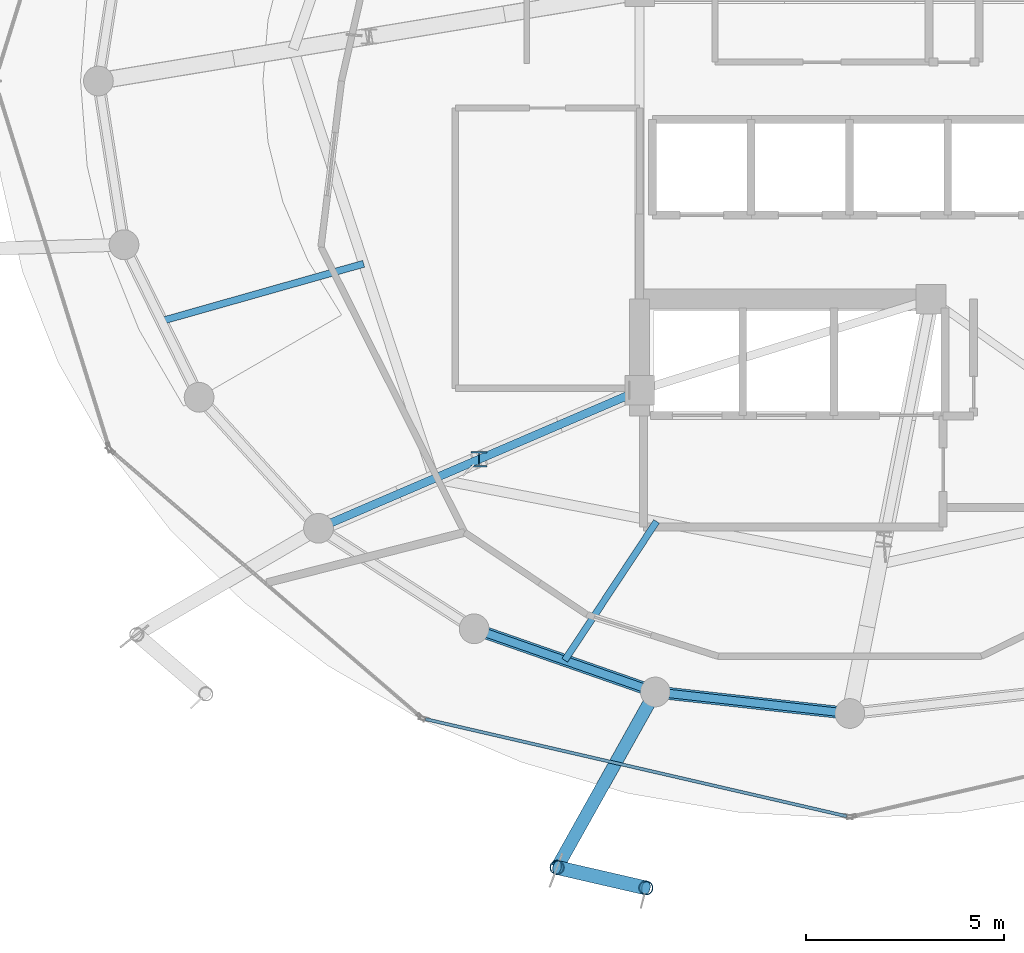
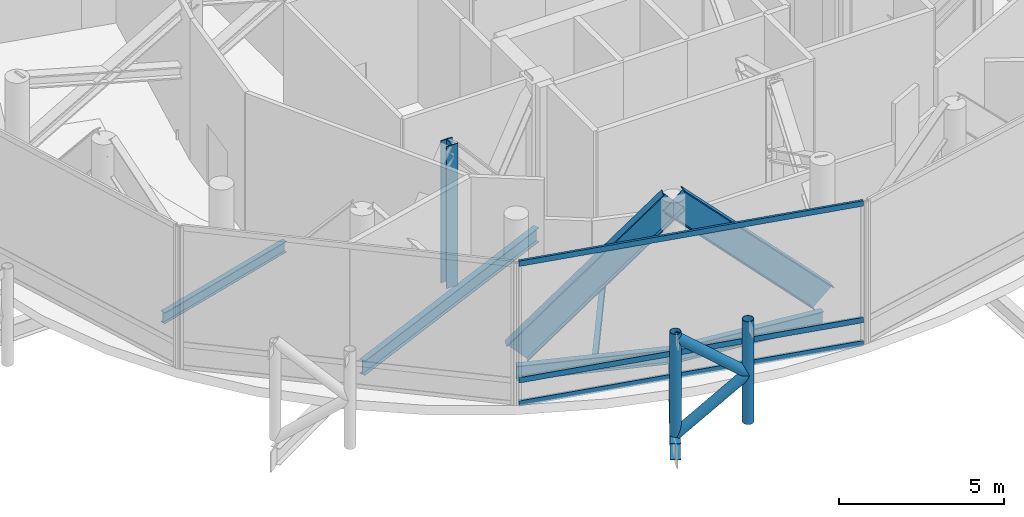
# One storey, part 3 of 26: 10 members, 6 beams, 1 element without a shape of its own.
"""IFC4 building model written with IfcOpenShell, lengths in metres."""

import ifcopenshell
import ifcopenshell.guid

model = None  # the IFC model being written
_history = None  # IfcOwnerHistory: only IFC2X3 demands one
_inside = {}  # id of a spatial element -> (the spatial element, [elements in it])
_under = {}  # id of a project, library or spatial element -> (it, [spatial elements below it])
_declared = {}  # id of a project -> (the project, [libraries it declares])
_typed = {}  # id of a type object -> (the type object, [elements of that type])
_made_of = {}  # id of a material, layer set ... -> (it, [elements and type objects made of it])


def new_model(schema):
    """Start an empty IFC model of exactly this schema.

    Asked for "IFC4X3", IfcOpenShell would pick the latest addendum, in which some entities
    have other attributes; the version numbers below select the first issue.
    IFC2X3 requires an IfcOwnerHistory on every rooted entity: one is made here for all.
    """
    global model, _history
    if schema == "IFC4X3":
        model = ifcopenshell.file(schema_version=(4, 3, 0, 0))
    else:
        model = ifcopenshell.file(schema=schema)
    _inside.clear()
    _under.clear()
    _declared.clear()
    _typed.clear()
    _made_of.clear()
    _history = None
    if model.schema == "IFC2X3":
        org = make("IfcOrganization", Name="unknown")
        user = make(
            "IfcPersonAndOrganization",
            ThePerson=make("IfcPerson", FamilyName="unknown"),
            TheOrganization=org,
        )
        app = make(
            "IfcApplication",
            ApplicationDeveloper=org,
            Version="unknown",
            ApplicationFullName="unknown",
            ApplicationIdentifier="unknown",
        )
        _history = make(
            "IfcOwnerHistory",
            OwningUser=user,
            OwningApplication=app,
            ChangeAction="ADDED",
            CreationDate=0,
        )
    return model


def make(cls, **values):
    """One entity of the class cls with the attributes given. An attribute that is None is left unset."""
    return model.create_entity(
        cls, **{name: value for name, value in values.items() if value is not None}
    )


def rooted(cls, **values):
    """An entity with a GlobalId (a new one), such as an element, a storey or a relation."""
    return make(cls, GlobalId=ifcopenshell.guid.new(), OwnerHistory=_history, **values)


def si_unit(unit_type, name, prefix=None):
    """IfcSIUnit, for example si_unit("LENGTHUNIT", "METRE", prefix="MILLI")."""
    return make("IfcSIUnit", UnitType=unit_type, Prefix=prefix, Name=name)


def assignment(units):
    """IfcUnitAssignment: the units of a project."""
    return None if units is None else make("IfcUnitAssignment", Units=units)


def point(xyz):
    """IfcCartesianPoint."""
    return None if xyz is None else make("IfcCartesianPoint", Coordinates=xyz)


def direction(xyz):
    """IfcDirection."""
    return None if xyz is None else make("IfcDirection", DirectionRatios=xyz)


def frame(location, z_axis=None, x_axis=None):
    """IfcAxis2Placement3D, a coordinate frame: its origin and axes. An axis left out is left unset."""
    return make(
        "IfcAxis2Placement3D",
        Location=point(location),
        Axis=direction(z_axis),
        RefDirection=direction(x_axis),
    )


def frame_2d(location, x_axis=None):
    """IfcAxis2Placement2D, a coordinate frame in the plane: its origin and x axis."""
    return make(
        "IfcAxis2Placement2D", Location=point(location), RefDirection=direction(x_axis)
    )


def origin():
    """The frame at (0, 0, 0) with its axes left unset."""
    return frame((0.0, 0.0, 0.0))


def origin_2d():
    """The frame at (0, 0) in the plane with its x axis left unset."""
    return frame_2d((0.0, 0.0))


def place(relative_to, where):
    """IfcLocalPlacement: puts the frame where relative to a parent placement (None: the world)."""
    return make(
        "IfcLocalPlacement", PlacementRelTo=relative_to, RelativePlacement=where
    )


def context(
    kind, dimensions, precision=None, world=None, true_north=None, identifier=None
):
    """IfcGeometricRepresentationContext, for example the 3D "Model" context."""
    return make(
        "IfcGeometricRepresentationContext",
        ContextIdentifier=identifier,
        ContextType=kind,
        CoordinateSpaceDimension=dimensions,
        Precision=precision,
        WorldCoordinateSystem=world,
        TrueNorth=true_north,
    )


def subcontext(parent, identifier, kind, view, scale=None):
    """IfcGeometricRepresentationSubContext, for example "Body" below "Model"."""
    return make(
        "IfcGeometricRepresentationSubContext",
        ContextIdentifier=identifier,
        ContextType=kind,
        ParentContext=parent,
        TargetScale=scale,
        TargetView=view,
    )


def project(units=None, contexts=None):
    """IfcProject with its units and contexts."""
    return rooted(
        "IfcProject",
        Name="project",
        RepresentationContexts=contexts,
        UnitsInContext=assignment(units),
    )


def spatial(cls, under=None, at=None, **own):
    """A site, building, storey or space (cls), placed at a placement, below another one or the project."""
    s = rooted(cls, ObjectPlacement=at, **own)
    if under is not None:
        _under.setdefault(under.id(), (under, []))[1].append(s)
    return s


def profile(cls, at=None, kind="AREA", **sizes):
    """A parametric profile (cls). Its sizes go by their IFC names, for example OverallWidth=200.0."""
    return make(cls, ProfileType=kind, Position=at, **sizes)


def hollow_rectangle(**sizes):
    """IfcRectangleHollowProfileDef."""
    return profile("IfcRectangleHollowProfileDef", **sizes)


def hollow_circle(**sizes):
    """IfcCircleHollowProfileDef."""
    return profile("IfcCircleHollowProfileDef", **sizes)


def i_section(**sizes):
    """IfcIShapeProfileDef."""
    return profile("IfcIShapeProfileDef", **sizes)


def extrude(swept, where, along, depth):
    """IfcExtrudedAreaSolid: the profile swept, set in the frame where, extruded along a direction by depth."""
    return make(
        "IfcExtrudedAreaSolid",
        SweptArea=swept,
        Position=where,
        ExtrudedDirection=direction(along),
        Depth=depth,
    )


def shape(context_of_items, identifier, shape_type, items):
    """IfcShapeRepresentation: the items that make up one representation, for example the "Body"."""
    return make(
        "IfcShapeRepresentation",
        ContextOfItems=context_of_items,
        RepresentationIdentifier=identifier,
        RepresentationType=shape_type,
        Items=items,
    )


def material(Name=None, Category=None):
    """IfcMaterial."""
    return make("IfcMaterial", Name=Name, Category=Category)


def layer(
    of_material, thickness, ventilated=None, Name=None, Category=None, Priority=None
):
    """IfcMaterialLayer: one layer of a wall or slab, of a material (None: an air gap)."""
    return make(
        "IfcMaterialLayer",
        Material=of_material,
        LayerThickness=thickness,
        IsVentilated=ventilated,
        Name=Name,
        Category=Category,
        Priority=Priority,
    )


def layer_set(layers, Name=None):
    """IfcMaterialLayerSet."""
    return make("IfcMaterialLayerSet", MaterialLayers=layers, LayerSetName=Name)


def material_profile(
    of_material, cross_section, Name=None, Category=None, Priority=None
):
    """IfcMaterialProfile: a cross section and its material."""
    return make(
        "IfcMaterialProfile",
        Name=Name,
        Material=of_material,
        Profile=cross_section,
        Priority=Priority,
        Category=Category,
    )


def profile_set(profiles, Name=None, composite=None):
    """IfcMaterialProfileSet."""
    return make(
        "IfcMaterialProfileSet",
        Name=Name,
        MaterialProfiles=profiles,
        CompositeProfile=composite,
    )


def made_of(thing, what):
    """Note that an element or type object is made of a material, layer set ...; save() writes the relation."""
    if what is not None:
        _made_of.setdefault(what.id(), (what, []))[1].append(thing)
    return thing


def type_object(cls, material=None, **own):
    """A type object (cls), such as IfcWallType, which elements share."""
    return made_of(rooted(cls, **own), material)


def element(
    cls,
    number,
    at=None,
    inside=None,
    cuts=None,
    type_object=None,
    material=None,
    context=None,
    identifier="Body",
    shape_type=None,
    held_by="IfcProductDefinitionShape",
    body=None,
    shapes=None,
    **own,
):
    """One element of the class cls, such as IfcWall. Its Tag is "e" and its number.

    at: its placement. inside: the storey or other place that contains it. cuts: it is an
    opening in that element (IfcRelVoidsElement). A single representation is given by context,
    identifier, shape_type and body (its items); several are given by shapes. held_by: the class
    of the entity that holds the representations. save() writes the other relations.
    """
    e = rooted(cls, Tag="e%d" % number, ObjectPlacement=at, **own)
    if body is not None:
        shapes = [shape(context, identifier, shape_type, body)]
    if shapes is not None:
        e.Representation = make(held_by, Representations=shapes)
    if inside is not None:
        _inside.setdefault(inside.id(), (inside, []))[1].append(e)
    if cuts is not None:
        rooted(
            "IfcRelVoidsElement", RelatingBuildingElement=cuts, RelatedOpeningElement=e
        )
    if type_object is not None:
        _typed.setdefault(type_object.id(), (type_object, []))[1].append(e)
    return made_of(e, material)


def aggregate(whole, parts):
    """IfcRelAggregates: a whole, such as a stair, and the parts it consists of."""
    return rooted("IfcRelAggregates", RelatingObject=whole, RelatedObjects=parts)


def save(model, path):
    """Write the relations noted so far, then the file.

    IfcRelAggregates (storeys below a building ...), IfcRelContainedInSpatialStructure (elements
    in a storey), IfcRelDefinesByType, IfcRelAssociatesMaterial and IfcRelDeclares: one each for
    every whole, place, type object, material and project.
    """
    for whole, parts in _under.values():
        aggregate(whole, parts)
    for where, things in _inside.values():
        rooted(
            "IfcRelContainedInSpatialStructure",
            RelatedElements=things,
            RelatingStructure=where,
        )
    for kind, things in _typed.values():
        rooted("IfcRelDefinesByType", RelatedObjects=things, RelatingType=kind)
    for what, things in _made_of.values():
        rooted("IfcRelAssociatesMaterial", RelatedObjects=things, RelatingMaterial=what)
    for by, libraries in _declared.values():
        rooted("IfcRelDeclares", RelatingContext=by, RelatedDefinitions=libraries)
    model.write(path)


model = new_model("IFC4")

# Units and contexts
model_context = context("Model", 3, precision=1e-05, world=origin(), true_north=direction((0.0, 1.0)))
body_context = subcontext(model_context, "Body", "Model", "MODEL_VIEW")
ifc_project = project(units=[si_unit("LENGTHUNIT", "METRE"), si_unit("AREAUNIT", "SQUARE_METRE"), si_unit("VOLUMEUNIT", "CUBIC_METRE"), si_unit("PLANEANGLEUNIT", "RADIAN"), si_unit("MASSUNIT", "GRAM", prefix="KILO")], contexts=[model_context])

# Site, building, storey
site_placement = place(None, origin())
site = spatial("IfcSite", under=ifc_project, at=site_placement, CompositionType="ELEMENT")
building_placement = place(site_placement, origin())
building = spatial("IfcBuilding", under=site, at=building_placement, Name="Nuhasar Tower", CompositionType="ELEMENT")
storey_placement = place(building_placement, frame((0.0, 0.0, 301.199951171875)))
storey = spatial("IfcBuildingStorey", under=building, at=storey_placement, Name="L75", CompositionType="ELEMENT", Elevation=301.199951171875)

# Members
ifc_material_1 = material(Name="Steel S460", Category="steel")
ifc_material_profile_1 = material_profile(ifc_material_1, i_section(OverallWidth=0.306884765625, OverallDepth=0.927001953125, WebThickness=0.019287109375, FlangeThickness=0.031982421875, at=origin_2d()), Name="W36X194")
ifc_profile_set_1 = profile_set([ifc_material_profile_1], Name="Steel S460")
member_type_1 = type_object("IfcMemberType", Name="BLT-DIAG-W36B", PredefinedType="CHORD", material=ifc_profile_set_1)
member_1_placement = place(storey_placement, frame((29.52490234375, 12.987060546875, 0.150146484375), z_axis=(0.660125360585, -0.230245124166, 0.714997686087), x_axis=(0.329332415729, 0.944214043504, 0.0)))
element("IfcMember", 1, at=member_1_placement, inside=storey, type_object=member_type_1, Name="L75 Belt Truss Diagonal 17", PredefinedType="CHORD", context=body_context, shape_type="SweptSolid", body=[
    extrude(i_section(OverallWidth=0.306884765625, OverallDepth=0.927001953125, WebThickness=0.019287109375, FlangeThickness=0.031982421875, at=origin_2d()), origin(), (0.0, 0.0, 1.0), 6.923095703125),
])
member_2_placement = place(storey_placement, frame((39.0, 10.85009765625, 0.150146484375), z_axis=(-0.70174933839, 0.077681077526, 0.708176190128), x_axis=(-0.110024283128, -0.99392889943, 0.0)))
element("IfcMember", 2, at=member_2_placement, inside=storey, type_object=member_type_1, Name="L75 Belt Truss Diagonal 18", PredefinedType="CHORD", context=body_context, shape_type="SweptSolid", body=[
    extrude(i_section(OverallWidth=0.306884765625, OverallDepth=0.927001953125, WebThickness=0.019287109375, FlangeThickness=0.031982421875, at=origin_2d()), origin(), (0.0, 0.0, 1.0), 6.98974609375),
])

# Beams
ifc_material_2 = material(Name="Steel S355", Category="steel")
ifc_material_profile_2 = material_profile(ifc_material_2, i_section(OverallWidth=0.1708984375, OverallDepth=0.35205078125, WebThickness=0.0068359375, FlangeThickness=0.009765625, at=origin_2d()), Name="W14X30")
ifc_profile_set_2 = profile_set([ifc_material_profile_2], Name="Steel S355")
beam_type_1 = type_object("IfcBeamType", Name="BM-JST-W14X30", PredefinedType="JOIST", material=ifc_profile_set_2)
beam_1_placement = place(storey_placement, frame((34.126953125, 15.693115234375, -0.52587890625), z_axis=(-0.551638003526, -0.834083636733, 0.0), x_axis=(0.834083636733, -0.551638003526, 0.0)))
element("IfcBeam", 3, at=beam_1_placement, inside=storey, type_object=beam_type_1, Name="L75 Secondary Floor Joist 01", PredefinedType="JOIST", context=body_context, shape_type="SweptSolid", body=[
    extrude(i_section(OverallWidth=0.1708984375, OverallDepth=0.35205078125, WebThickness=0.0068359375, FlangeThickness=0.009765625, at=origin_2d()), origin(), (0.0, 0.0, 1.0), 4.199951171875),
])
ifc_material_profile_3 = material_profile(ifc_material_2, i_section(OverallWidth=0.177978515625, OverallDepth=0.406005859375, WebThickness=0.0078125, FlangeThickness=0.0126953125, at=origin_2d()), Name="W16X40")
ifc_profile_set_3 = profile_set([ifc_material_profile_3], Name="Steel S355")
beam_type_2 = type_object("IfcBeamType", Name="BM-JST-W16X40", PredefinedType="JOIST", material=ifc_profile_set_3)
beam_2_placement = place(storey_placement, frame((26.739990234375, 22.19189453125, -0.552978515625), z_axis=(-0.962154316042, -0.272505178156, 0.0), x_axis=(0.272505178156, -0.962154316042, 0.0)))
element("IfcBeam", 4, at=beam_2_placement, inside=storey, type_object=beam_type_2, Name="L75 Secondary Floor Joist 08", PredefinedType="JOIST", context=body_context, shape_type="SweptSolid", body=[
    extrude(i_section(OverallWidth=0.177978515625, OverallDepth=0.406005859375, WebThickness=0.0078125, FlangeThickness=0.0126953125, at=origin_2d()), origin(), (0.0, 0.0, 1.0), 5.29833984375),
])
ifc_material_profile_4 = material_profile(ifc_material_2, i_section(OverallWidth=0.208984375, OverallDepth=0.528076171875, WebThickness=0.009521484375, FlangeThickness=0.01318359375, at=origin_2d()), Name="W21X55")
ifc_profile_set_4 = profile_set([ifc_material_profile_4], Name="Steel S355")
beam_type_3 = type_object("IfcBeamType", Name="BM-RAD-W21X55", PredefinedType="BEAM", material=ifc_profile_set_4)
beam_3_placement = place(storey_placement, frame((33.699951171875, 19.0, -0.614013671875), z_axis=(-0.91887119061, -0.394557644797, 0.0), x_axis=(0.394557644797, -0.91887119061, 0.0)))
element("IfcBeam", 5, at=beam_3_placement, inside=storey, type_object=beam_type_3, Name="L75 Radial Floor Girder 01", PredefinedType="BEAM", context=body_context, shape_type="SweptSolid", body=[
    extrude(i_section(OverallWidth=0.208984375, OverallDepth=0.528076171875, WebThickness=0.009521484375, FlangeThickness=0.01318359375, at=origin_2d()), origin(), (0.0, 0.0, 1.0), 8.81494140625),
])
ifc_material_profile_5 = material_profile(ifc_material_2, i_section(OverallWidth=0.2099609375, OverallDepth=0.537109375, WebThickness=0.010986328125, FlangeThickness=0.017333984375, at=origin_2d()), Name="W21X68")
ifc_profile_set_5 = profile_set([ifc_material_profile_5], Name="Steel S355")
beam_type_4 = type_object("IfcBeamType", Name="BM-RING-W21X68", PredefinedType="SPANDREL", material=ifc_profile_set_5)
beam_4_placement = place(storey_placement, frame((29.52490234375, 12.987060546875, -0.617919921875), z_axis=(0.944214043504, -0.329332415729, 0.0), x_axis=(0.329332415729, 0.944214043504, 0.0)))
element("IfcBeam", 6, at=beam_4_placement, inside=storey, type_object=beam_type_4, Name="L75 Perimeter Ring Spandrel 17", PredefinedType="SPANDREL", context=body_context, shape_type="SweptSolid", body=[
    extrude(i_section(OverallWidth=0.2099609375, OverallDepth=0.537109375, WebThickness=0.010986328125, FlangeThickness=0.017333984375, at=origin_2d()), origin(), (0.0, 0.0, 1.0), 4.840087890625),
])
beam_5_placement = place(storey_placement, frame((34.094970703125, 11.39306640625, -0.617919921875), z_axis=(0.99392889943, -0.110024283128, 0.0), x_axis=(0.110024283128, 0.99392889943, 0.0)))
element("IfcBeam", 7, at=beam_5_placement, inside=storey, type_object=beam_type_4, Name="L75 Perimeter Ring Spandrel 18", PredefinedType="SPANDREL", context=body_context, shape_type="SweptSolid", body=[
    extrude(i_section(OverallWidth=0.2099609375, OverallDepth=0.537109375, WebThickness=0.010986328125, FlangeThickness=0.017333984375, at=origin_2d()), origin(), (0.0, 0.0, 1.0), 4.93505859375),
])
ifc_material_profile_6 = material_profile(ifc_material_2, i_section(OverallWidth=0.323974609375, OverallDepth=0.611083984375, WebThickness=0.0126953125, FlangeThickness=0.01904296875, at=origin_2d()), Name="W24X104")
ifc_profile_set_6 = profile_set([ifc_material_profile_6], Name="Steel S355")
beam_type_5 = type_object("IfcBeamType", Name="BM-TIE-W24X104", PredefinedType="BEAM", material=ifc_profile_set_6)
beam_6_placement = place(storey_placement, frame((34.094970703125, 11.39306640625, -0.655029296875), z_axis=(-0.488667847762, -0.872469904675, 0.0), x_axis=(0.872469904675, -0.488667847762, 0.0)))
element("IfcBeam", 8, at=beam_6_placement, inside=storey, type_object=beam_type_5, Name="L75 Exoskeleton Node Tie Beam 09", PredefinedType="BEAM", context=body_context, shape_type="SweptSolid", body=[
    extrude(i_section(OverallWidth=0.323974609375, OverallDepth=0.611083984375, WebThickness=0.0126953125, FlangeThickness=0.01904296875, at=origin_2d()), origin(), (0.0, 0.0, 1.0), 5.072998046875),
])

# Curtain wall, members
ifc_material_3 = material(Name="Aluminium 6063-T6", Category="aluminium")
ifc_layer = layer(ifc_material_3, 0.219970703125)
ifc_layer_set = layer_set([ifc_layer], Name="Aluminium 6063-T6")
curtain_wall_type = type_object("IfcCurtainWallType", Name="CW-CROWN", PredefinedType="NOTDEFINED", material=ifc_layer_set)
curtain_wall_placement = place(storey_placement, origin())
curtain_wall = element("IfcCurtainWall", 9, at=curtain_wall_placement, inside=storey, type_object=curtain_wall_type, Name="L75 Unitised Curtain Wall 09", PredefinedType="NOTDEFINED")
ifc_material_profile_7 = material_profile(ifc_material_3, hollow_rectangle(XDim=0.080078125, YDim=0.199951171875, WallThickness=0.00439453125, at=origin_2d()), Name="CWT-7")
ifc_profile_set_7 = profile_set([ifc_material_profile_7], Name="Aluminium 6063-T6")
member_type_2 = type_object("IfcMemberType", Name="CW-TRN-S7", PredefinedType="USERDEFINED", material=ifc_profile_set_7)
member_3_placement = place(storey_placement, frame((28.2978515625, 10.708984375, 0.0400390625), z_axis=(0.974407797917, -0.224787551607, 0.0), x_axis=(0.224787551607, 0.974407797917, 0.0)))
member_3 = element("IfcMember", 10, at=member_3_placement, type_object=member_type_2, Name="CW-CR transom 1.1", ObjectType="TRANSOM", PredefinedType="USERDEFINED", context=body_context, shape_type="SweptSolid", body=[
    extrude(hollow_rectangle(XDim=0.080078125, YDim=0.199951171875, WallThickness=0.00439453125, at=origin_2d()), origin(), (0.0, 0.0, 1.0), 10.9033203125),
])
member_4_placement = place(storey_placement, frame((28.2978515625, 10.708984375, 0.900146484375), z_axis=(0.974407797917, -0.224787551607, 0.0), x_axis=(0.224787551607, 0.974407797917, 0.0)))
member_4 = element("IfcMember", 11, at=member_4_placement, type_object=member_type_2, Name="CW-CR transom 1.2", ObjectType="TRANSOM", PredefinedType="USERDEFINED", context=body_context, shape_type="SweptSolid", body=[
    extrude(hollow_rectangle(XDim=0.080078125, YDim=0.199951171875, WallThickness=0.00439453125, at=origin_2d()), origin(), (0.0, 0.0, 1.0), 10.9033203125),
])
member_5_placement = place(storey_placement, frame((28.2978515625, 10.708984375, 5.2099609375), z_axis=(0.974407797917, -0.224787551607, 0.0), x_axis=(0.224787551607, 0.974407797917, 0.0)))
member_5 = element("IfcMember", 12, at=member_5_placement, type_object=member_type_2, Name="CW-CR transom 1.3", ObjectType="TRANSOM", PredefinedType="USERDEFINED", context=body_context, shape_type="SweptSolid", body=[
    extrude(hollow_rectangle(XDim=0.080078125, YDim=0.199951171875, WallThickness=0.00439453125, at=origin_2d()), origin(), (0.0, 0.0, 1.0), 10.9033203125),
])
aggregate(curtain_wall, [member_3, member_4, member_5])

# Members
ifc_material_profile_8 = material_profile(ifc_material_1, hollow_circle(Radius=0.177734375, WallThickness=0.015869140625, at=origin_2d()), Name="HSS355.6X15.9")
ifc_profile_set_8 = profile_set([ifc_material_profile_8], Name="Steel S460")
member_type_3 = type_object("IfcMemberType", Name="EXO-BRONZE-356", PredefinedType="BRACE", material=ifc_profile_set_8)
for number, where, z_axis, x_axis, name in (
    (13, (31.615966796875, 6.967041015625, 0.0), (0.0, 0.0, 1.0), (1.0, 0.0, 0.0), "L75 Exoskeleton Chord Column EC-09A"),
    (14, (33.85693359375, 6.450927734375, 0.0), (0.0, 0.0, 1.0), (1.0, 0.0, 0.0), "L75 Exoskeleton Chord Column EC-09B"),
):
    element("IfcMember", number, at=place(storey_placement, frame(where, z_axis=z_axis, x_axis=x_axis)), inside=storey, type_object=member_type_3, Name=name, PredefinedType="BRACE", context=body_context, shape_type="SweptSolid", body=[
        extrude(hollow_circle(Radius=0.177734375, WallThickness=0.015869140625, at=origin_2d()), origin(), (0.0, 0.0, 1.0), 3.800048828125),
    ])
for number, where, z_axis, x_axis, name in (
    (15, (31.615966796875, 6.967041015625, 0.0), (0.767360750131, -0.176729559405, 0.616379868255), (0.224433035437, 0.97448951385, 0.0), "L75 Bronze Diagrid Brace W1-09"),
    (16, (33.85693359375, 6.450927734375, 1.800048828125), (-0.767360750131, 0.176729559405, 0.616379868255), (-0.224433035437, -0.97448951385, 0.0), "L75 Bronze Diagrid Brace W2-09"),
):
    element("IfcMember", number, at=place(storey_placement, frame(where, z_axis=z_axis, x_axis=x_axis)), inside=storey, type_object=member_type_3, Name=name, PredefinedType="BRACE", context=body_context, shape_type="SweptSolid", body=[
        extrude(hollow_circle(Radius=0.177734375, WallThickness=0.015869140625, at=origin_2d()), origin(), (0.0, 0.0, 1.0), 2.92041015625),
    ])
ifc_material_profile_9 = material_profile(ifc_material_1, i_section(OverallWidth=0.39892578125, OverallDepth=0.385986328125, WebThickness=0.02099609375, FlangeThickness=0.033203125, at=origin_2d()), Name="W14X176")
ifc_profile_set_9 = profile_set([ifc_material_profile_9], Name="Steel S460")
member_type_4 = type_object("IfcMemberType", Name="OUT-CHRD-W14C", PredefinedType="CHORD", material=ifc_profile_set_9)
member_6_placement = place(storey_placement, frame((29.64990234375, 17.260986328125, 0.0), z_axis=(0.0, 0.0, 1.0), x_axis=(1.0, 0.0, 0.0)))
element("IfcMember", 17, at=member_6_placement, inside=storey, type_object=member_type_4, Name="L75 Outrigger Truss Post 01", PredefinedType="CHORD", context=body_context, shape_type="SweptSolid", body=[
    extrude(i_section(OverallWidth=0.39892578125, OverallDepth=0.385986328125, WebThickness=0.02099609375, FlangeThickness=0.033203125, at=origin_2d()), origin(), (0.0, 0.0, 1.0), 5.25),
])

save(model, "model.ifc")
